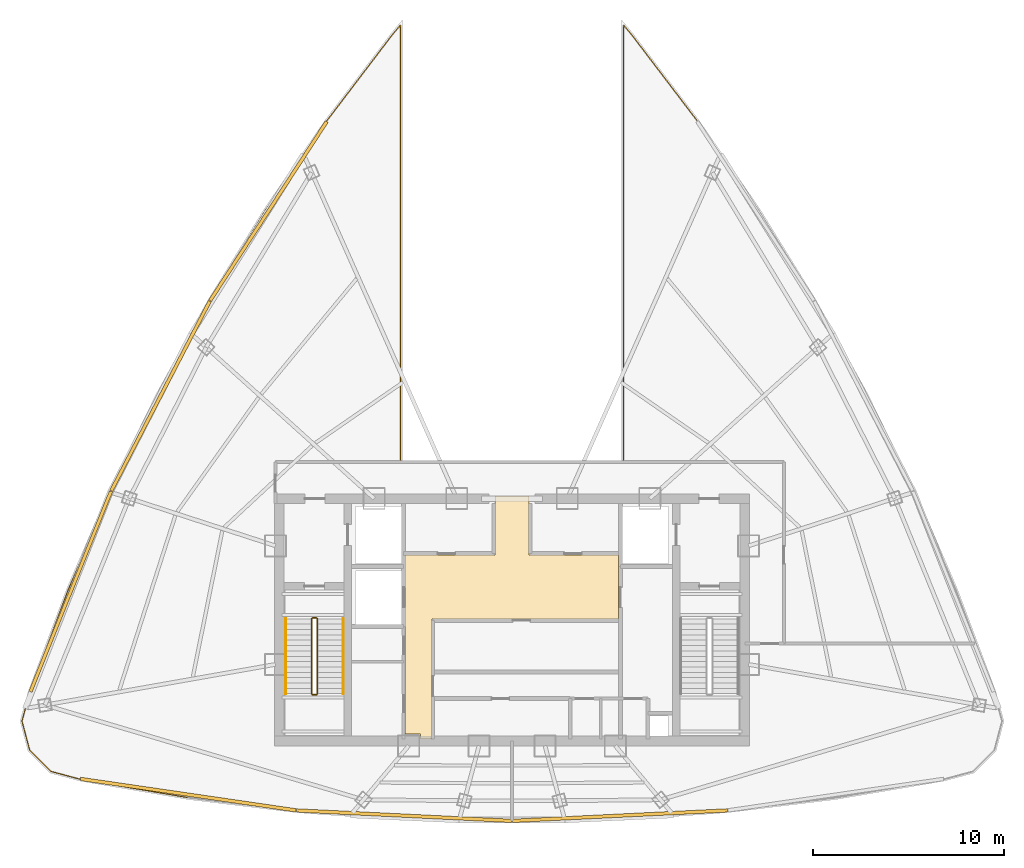
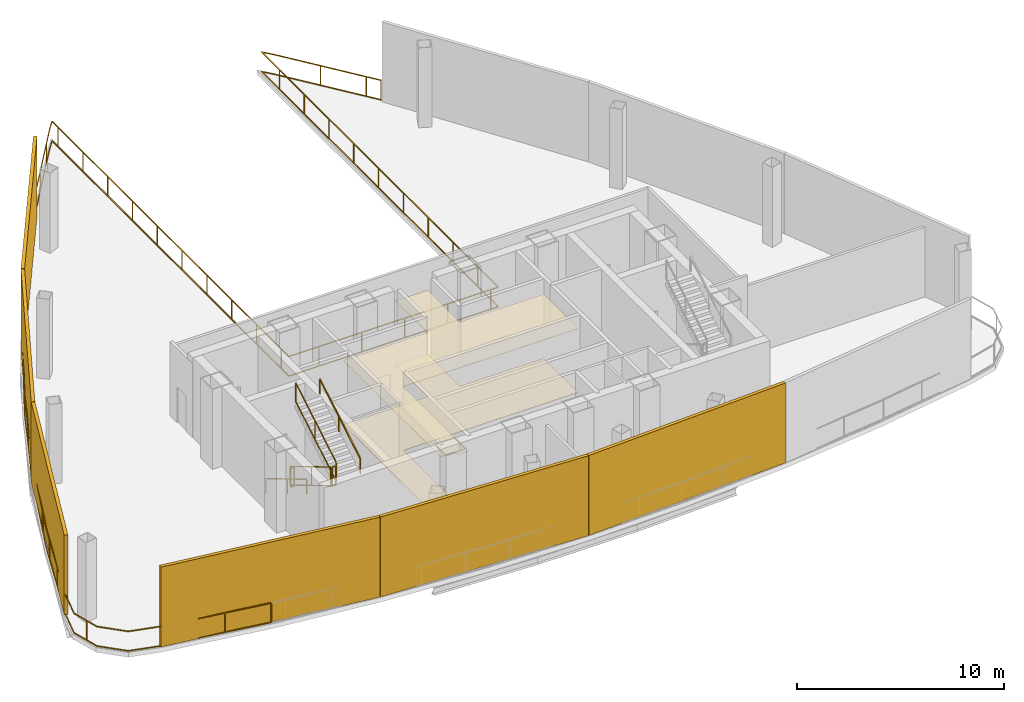
# One storey, part 4 of 6: 7 railings, 6 shading devices, 2 coverings.
"""IFC4 building model written with IfcOpenShell, lengths in metres."""

from ifc_helpers import new_model, si_unit, direction, frame, origin, origin_2d, place, context, subcontext, project, spatial, polyline, rectangle, outline, extrude, source, transform, mapped, material, layer, layer_set, type_object, element, save


model = new_model("IFC4")

# Units and contexts
model_context = context("Model", 3, precision=1e-05, world=origin(), true_north=direction((0.0, 1.0)))
body_context = subcontext(model_context, "Body", "Model", "MODEL_VIEW")
ifc_project = project(units=[si_unit("LENGTHUNIT", "METRE"), si_unit("AREAUNIT", "SQUARE_METRE"), si_unit("VOLUMEUNIT", "CUBIC_METRE"), si_unit("PLANEANGLEUNIT", "RADIAN"), si_unit("MASSUNIT", "GRAM", prefix="KILO"), si_unit("THERMODYNAMICTEMPERATUREUNIT", "KELVIN"), si_unit("POWERUNIT", "WATT")], contexts=[model_context])

# Site, building, storey
site_placement = place(None, origin())
site = spatial("IfcSite", under=ifc_project, at=site_placement, CompositionType="ELEMENT")
building_placement = place(site_placement, origin())
building = spatial("IfcBuilding", under=site, at=building_placement, Name="Yunzhuo Pagoda Commons", CompositionType="ELEMENT")
storey_placement = place(building_placement, frame((0.0, 0.0, 376.760009765625)))
storey = spatial("IfcBuildingStorey", under=building, at=storey_placement, Name="L94", CompositionType="ELEMENT", Elevation=376.760009765625)

# Coverings
ifc_material_1 = material(Name="Micro-perforated metal baffle ceiling")
ifc_layer_1 = layer(ifc_material_1, 0.034912109375)
ifc_layer_set_1 = layer_set([ifc_layer_1], Name="Micro-perforated metal baffle ceiling")
covering_type_1 = type_object("IfcCoveringType", Name="COV-CL3 Ceiling 35", PredefinedType="CEILING", material=ifc_layer_set_1)
covering_1_placement = place(storey_placement, frame((0.0, 0.0, 3.77001953125)))
element("IfcCovering", 1, at=covering_1_placement, inside=storey, type_object=covering_type_1, Name="L94 lift lobby acoustic ceiling", PredefinedType="CEILING", context=body_context, shape_type="SweptSolid", body=[
    extrude(outline(polyline([(43.207763671875, 27.85009765625), (43.201904296875, 27.864013671875), (43.187744140625, 27.8701171875), (42.39990234375, 27.8701171875), (42.39990234375, 33.89990234375), (42.39990234375, 37.25), (47.10009765625, 37.25), (47.10009765625, 40.35009765625), (48.89990234375, 40.35009765625), (48.89990234375, 37.25), (53.580078125, 37.25), (53.580078125, 33.89990234375), (43.820068359375, 33.89990234375), (43.820068359375, 27.60009765625), (43.207763671875, 27.60009765625), (43.207763671875, 27.85009765625)])), origin(), (0.0, 0.0, 1.0), 0.034912109375),
])
ifc_material_2 = material(Name="Resilient acoustic studio flooring")
ifc_layer_2 = layer(ifc_material_2, 0.01806640625)
ifc_layer_set_2 = layer_set([ifc_layer_2], Name="Resilient acoustic studio flooring")
covering_type_2 = type_object("IfcCoveringType", Name="COV-FL3 Flooring 18", PredefinedType="FLOORING", material=ifc_layer_set_2)
covering_2_placement = place(storey_placement, origin())
element("IfcCovering", 2, at=covering_2_placement, inside=storey, type_object=covering_type_2, Name="L94 lift lobby flooring", PredefinedType="FLOORING", context=body_context, shape_type="SweptSolid", body=[
    extrude(outline(polyline([(43.207763671875, 27.85009765625), (43.201904296875, 27.864013671875), (43.187744140625, 27.8701171875), (42.39990234375, 27.8701171875), (42.39990234375, 33.89990234375), (42.39990234375, 37.25), (47.10009765625, 37.25), (47.10009765625, 40.35009765625), (48.89990234375, 40.35009765625), (48.89990234375, 37.25), (53.580078125, 37.25), (53.580078125, 33.89990234375), (43.820068359375, 33.89990234375), (43.820068359375, 27.60009765625), (43.207763671875, 27.60009765625), (43.207763671875, 27.85009765625)])), origin(), (0.0, 0.0, 1.0), 0.01806640625),
])

# Railings
ifc_material_3 = material(Name="Anodized aluminium 6063-T6", Category="aluminium")
railing_type_1 = type_object("IfcRailingType", Name="GR-ST1 Stair Well Guardrail 1150", PredefinedType="GUARDRAIL", material=ifc_material_3)
railing_1_placement = place(storey_placement, frame((37.5, 33.89990234375, 0.166748046875)))
element("IfcRailing", 3, at=railing_1_placement, inside=storey, type_object=railing_type_1, Name="L94 ST1 stair guard 1", PredefinedType="GUARDRAIL", context=body_context, shape_type="SweptSolid", body=[
    extrude(rectangle(XDim=0.048095703125, YDim=0.048095703125, at=origin_2d()), frame((0.0, 0.0, 1.1259765625), z_axis=(0.0, -0.859296244711, 0.511478214419), x_axis=(1.0, 0.0, 0.0)), (0.0, 0.0, 1.0), 4.561767578125),
    extrude(rectangle(XDim=0.048095703125, YDim=0.048095703125, at=origin_2d()), frame((0.0, 0.0, 0.02392578125), z_axis=(0.0, -0.859296244711, 0.511478214419), x_axis=(1.0, 0.0, 0.0)), (0.0, 0.0, 1.0), 4.561767578125),
    extrude(rectangle(XDim=0.0419921875, YDim=0.0419921875, at=origin_2d()), origin(), (0.0, 0.0, 1.0), 1.101806640625),
    extrude(rectangle(XDim=0.0419921875, YDim=0.0419921875, at=origin_2d()), frame((0.0, -2.062255859375, 1.2275390625)), (0.0, 0.0, 1.0), 1.101806640625),
    extrude(rectangle(XDim=0.0419921875, YDim=0.0419921875, at=origin_2d()), frame((0.0, -3.919921875, 2.333251953125)), (0.0, 0.0, 1.0), 1.101806640625),
])
railing_2_placement = place(storey_placement, frame((37.550048828125, 29.929931640625, 2.5)))
element("IfcRailing", 4, at=railing_2_placement, inside=storey, type_object=railing_type_1, Name="L94 ST1 stair guard 2", PredefinedType="GUARDRAIL", context=body_context, shape_type="SweptSolid", body=[
    extrude(rectangle(XDim=0.048095703125, YDim=0.048095703125, at=origin_2d()), frame((0.0, 0.0, 1.1259765625), z_axis=(1.0, 0.0, 0.0), x_axis=(0.0, 1.0, 0.0)), (0.0, 0.0, 1.0), 0.199951171875),
    extrude(rectangle(XDim=0.048095703125, YDim=0.048095703125, at=origin_2d()), frame((0.0, 0.0, 0.02392578125), z_axis=(1.0, 0.0, 0.0), x_axis=(0.0, 1.0, 0.0)), (0.0, 0.0, 1.0), 0.199951171875),
    extrude(rectangle(XDim=0.0419921875, YDim=0.0419921875, at=origin_2d()), origin(), (0.0, 0.0, 1.0), 1.101806640625),
    extrude(rectangle(XDim=0.0419921875, YDim=0.0419921875, at=origin_2d()), frame((0.199951171875, 0.0, 0.0)), (0.0, 0.0, 1.0), 1.101806640625),
])
railing_3_placement = place(storey_placement, frame((37.800048828125, 29.97998046875, 2.666748046875)))
element("IfcRailing", 5, at=railing_3_placement, inside=storey, type_object=railing_type_1, Name="L94 ST1 stair guard 3", PredefinedType="GUARDRAIL", context=body_context, shape_type="SweptSolid", body=[
    extrude(rectangle(XDim=0.048095703125, YDim=0.048095703125, at=origin_2d()), frame((0.0, 0.0, 1.1259765625), z_axis=(0.0, 0.859296244711, 0.511478214419), x_axis=(-1.0, 0.0, 0.0)), (0.0, 0.0, 1.0), 4.561767578125),
    extrude(rectangle(XDim=0.048095703125, YDim=0.048095703125, at=origin_2d()), frame((0.0, 0.0, 0.02392578125), z_axis=(0.0, 0.859296244711, 0.511478214419), x_axis=(-1.0, 0.0, 0.0)), (0.0, 0.0, 1.0), 4.561767578125),
    extrude(rectangle(XDim=0.0419921875, YDim=0.0419921875, at=origin_2d()), origin(), (0.0, 0.0, 1.0), 1.101806640625),
    extrude(rectangle(XDim=0.0419921875, YDim=0.0419921875, at=origin_2d()), frame((0.0, 2.062255859375, 1.2275390625)), (0.0, 0.0, 1.0), 1.101806640625),
    extrude(rectangle(XDim=0.0419921875, YDim=0.0419921875, at=origin_2d()), frame((0.0, 3.919921875, 2.333251953125)), (0.0, 0.0, 1.0), 1.101806640625),
])
railing_4_placement = place(storey_placement, frame((37.550048828125, 33.949951171875, 0.0)))
element("IfcRailing", 6, at=railing_4_placement, inside=storey, type_object=railing_type_1, Name="L94 ST1 stair guard 4", PredefinedType="GUARDRAIL", context=body_context, shape_type="SweptSolid", body=[
    extrude(rectangle(XDim=0.048095703125, YDim=0.048095703125, at=origin_2d()), frame((0.0, 0.0, 1.1259765625), z_axis=(1.0, 0.0, 0.0), x_axis=(0.0, 1.0, 0.0)), (0.0, 0.0, 1.0), 0.199951171875),
    extrude(rectangle(XDim=0.048095703125, YDim=0.048095703125, at=origin_2d()), frame((0.0, 0.0, 0.02392578125), z_axis=(1.0, 0.0, 0.0), x_axis=(0.0, 1.0, 0.0)), (0.0, 0.0, 1.0), 0.199951171875),
    extrude(rectangle(XDim=0.0419921875, YDim=0.0419921875, at=origin_2d()), origin(), (0.0, 0.0, 1.0), 1.101806640625),
    extrude(rectangle(XDim=0.0419921875, YDim=0.0419921875, at=origin_2d()), frame((0.199951171875, 0.0, 0.0)), (0.0, 0.0, 1.0), 1.101806640625),
])
railing_type_2 = type_object("IfcRailingType", Name="HR-ST1 Stair Handrail 900", PredefinedType="HANDRAIL", material=ifc_material_3)
railing_5_placement = place(storey_placement, frame((36.14990234375, 33.89990234375, 0.166748046875)))
element("IfcRailing", 7, at=railing_5_placement, inside=storey, type_object=railing_type_2, Name="L94 ST1 stair handrail 1", PredefinedType="HANDRAIL", context=body_context, shape_type="SweptSolid", body=[
    extrude(rectangle(XDim=0.048095703125, YDim=0.048095703125, at=origin_2d()), frame((0.0, 0.0, 0.8759765625), z_axis=(0.0, -0.859296244711, 0.511478214419), x_axis=(1.0, 0.0, 0.0)), (0.0, 0.0, 1.0), 4.561767578125),
    extrude(rectangle(XDim=0.0419921875, YDim=0.0419921875, at=origin_2d()), origin(), (0.0, 0.0, 1.0), 0.851806640625),
    extrude(rectangle(XDim=0.0419921875, YDim=0.0419921875, at=origin_2d()), frame((0.0, -2.062255859375, 1.2275390625)), (0.0, 0.0, 1.0), 0.851806640625),
    extrude(rectangle(XDim=0.0419921875, YDim=0.0419921875, at=origin_2d()), frame((0.0, -3.919921875, 2.333251953125)), (0.0, 0.0, 1.0), 0.851806640625),
])
railing_6_placement = place(storey_placement, frame((39.14990234375, 29.97998046875, 2.666748046875)))
element("IfcRailing", 8, at=railing_6_placement, inside=storey, type_object=railing_type_2, Name="L94 ST1 stair handrail 2", PredefinedType="HANDRAIL", context=body_context, shape_type="SweptSolid", body=[
    extrude(rectangle(XDim=0.048095703125, YDim=0.048095703125, at=origin_2d()), frame((0.0, 0.0, 0.8759765625), z_axis=(0.0, 0.859296244711, 0.511478214419), x_axis=(-1.0, 0.0, 0.0)), (0.0, 0.0, 1.0), 4.561767578125),
    extrude(rectangle(XDim=0.0419921875, YDim=0.0419921875, at=origin_2d()), origin(), (0.0, 0.0, 1.0), 0.851806640625),
    extrude(rectangle(XDim=0.0419921875, YDim=0.0419921875, at=origin_2d()), frame((0.0, 2.062255859375, 1.2275390625)), (0.0, 0.0, 1.0), 0.851806640625),
    extrude(rectangle(XDim=0.0419921875, YDim=0.0419921875, at=origin_2d()), frame((0.0, 3.919921875, 2.333251953125)), (0.0, 0.0, 1.0), 0.851806640625),
])
railing_type_3 = type_object("IfcRailingType", Name="RL-PRT1 Wind Portal & Refuge Guardrail 1200", PredefinedType="GUARDRAIL", material=ifc_material_3)
railing_7_placement = place(storey_placement, frame((31.02978515625, 24.53271484375, 0.0)))
element("IfcRailing", 9, at=railing_7_placement, inside=storey, type_object=railing_type_3, Name="L94 wind portal wing 1 guardrail B", PredefinedType="GUARDRAIL", context=body_context, shape_type="SweptSolid", body=[
    extrude(rectangle(XDim=0.048095703125, YDim=0.048095703125, at=origin_2d()), frame((0.0, 0.0, 1.17578125), z_axis=(-0.985802138358, 0.167911119374, 0.0), x_axis=(-0.167911119374, -0.985802138358, 0.0)), (0.0, 0.0, 1.0), 5.736083984375),
    extrude(rectangle(XDim=0.048095703125, YDim=0.048095703125, at=origin_2d()), frame((0.0, 0.0, 0.02392578125), z_axis=(-0.985802138358, 0.167911119374, 0.0), x_axis=(-0.167911119374, -0.985802138358, 0.0)), (0.0, 0.0, 1.0), 5.736083984375),
    extrude(rectangle(XDim=0.048095703125, YDim=0.048095703125, at=origin_2d()), frame((-5.654541015625, 0.963134765625, 1.17578125), z_axis=(-0.965767970821, 0.259407452737, 0.0), x_axis=(-0.259407452737, -0.965767970821, 0.0)), (0.0, 0.0, 1.0), 1.59326171875),
    extrude(rectangle(XDim=0.048095703125, YDim=0.048095703125, at=origin_2d()), frame((-5.654541015625, 0.963134765625, 0.02392578125), z_axis=(-0.965767970821, 0.259407452737, 0.0), x_axis=(-0.259407452737, -0.965767970821, 0.0)), (0.0, 0.0, 1.0), 1.59326171875),
    extrude(rectangle(XDim=0.048095703125, YDim=0.048095703125, at=origin_2d()), frame((-7.193359375, 1.37646484375, 1.17578125), z_axis=(-0.705784726327, 0.708426368851, 0.0), x_axis=(-0.708426368851, -0.705784726327, 0.0)), (0.0, 0.0, 1.0), 1.571044921875),
    extrude(rectangle(XDim=0.048095703125, YDim=0.048095703125, at=origin_2d()), frame((-7.193359375, 1.37646484375, 0.02392578125), z_axis=(-0.705784726327, 0.708426368851, 0.0), x_axis=(-0.708426368851, -0.705784726327, 0.0)), (0.0, 0.0, 1.0), 1.571044921875),
    extrude(rectangle(XDim=0.048095703125, YDim=0.048095703125, at=origin_2d()), frame((-8.30224609375, 2.489501953125, 1.17578125), z_axis=(-0.256114674662, 0.966646405581, 0.0), x_axis=(-0.966646405581, -0.256114674662, 0.0)), (0.0, 0.0, 1.0), 1.571044921875),
    extrude(rectangle(XDim=0.048095703125, YDim=0.048095703125, at=origin_2d()), frame((-8.30224609375, 2.489501953125, 0.02392578125), z_axis=(-0.256114674662, 0.966646405581, 0.0), x_axis=(-0.966646405581, -0.256114674662, 0.0)), (0.0, 0.0, 1.0), 1.571044921875),
    extrude(rectangle(XDim=0.048095703125, YDim=0.048095703125, at=origin_2d()), frame((-8.70458984375, 4.008056640625, 1.17578125), z_axis=(0.262922930823, 0.964816838808, 0.0), x_axis=(-0.964816838808, 0.262922930823, 0.0)), (0.0, 0.0, 1.0), 1.593505859375),
    extrude(rectangle(XDim=0.048095703125, YDim=0.048095703125, at=origin_2d()), frame((-8.70458984375, 4.008056640625, 0.02392578125), z_axis=(0.262922930823, 0.964816838808, 0.0), x_axis=(-0.964816838808, 0.262922930823, 0.0)), (0.0, 0.0, 1.0), 1.593505859375),
    extrude(rectangle(XDim=0.048095703125, YDim=0.048095703125, at=origin_2d()), frame((-8.28564453125, 5.54541015625, 1.17578125), z_axis=(0.350704936473, 0.936486010325, 0.0), x_axis=(-0.936486010325, 0.350704936473, 0.0)), (0.0, 0.0, 1.0), 5.690185546875),
    extrude(rectangle(XDim=0.048095703125, YDim=0.048095703125, at=origin_2d()), frame((-8.28564453125, 5.54541015625, 0.02392578125), z_axis=(0.350704936473, 0.936486010325, 0.0), x_axis=(-0.936486010325, 0.350704936473, 0.0)), (0.0, 0.0, 1.0), 5.690185546875),
    extrude(rectangle(XDim=0.048095703125, YDim=0.048095703125, at=origin_2d()), frame((-6.2900390625, 10.874267578125, 1.17578125), z_axis=(0.395237697454, 0.91857888203, 0.0), x_axis=(-0.91857888203, 0.395237697454, 0.0)), (0.0, 0.0, 1.0), 5.652587890625),
    extrude(rectangle(XDim=0.048095703125, YDim=0.048095703125, at=origin_2d()), frame((-6.2900390625, 10.874267578125, 0.02392578125), z_axis=(0.395237697454, 0.91857888203, 0.0), x_axis=(-0.91857888203, 0.395237697454, 0.0)), (0.0, 0.0, 1.0), 5.652587890625),
    extrude(rectangle(XDim=0.048095703125, YDim=0.048095703125, at=origin_2d()), frame((-4.055908203125, 16.066650390625, 1.17578125), z_axis=(0.439384485978, 0.898299100234, 0.0), x_axis=(-0.898299100234, 0.439384485978, 0.0)), (0.0, 0.0, 1.0), 5.625244140625),
    extrude(rectangle(XDim=0.048095703125, YDim=0.048095703125, at=origin_2d()), frame((-4.055908203125, 16.066650390625, 0.02392578125), z_axis=(0.439384485978, 0.898299100234, 0.0), x_axis=(-0.898299100234, 0.439384485978, 0.0)), (0.0, 0.0, 1.0), 5.625244140625),
    extrude(rectangle(XDim=0.048095703125, YDim=0.048095703125, at=origin_2d()), frame((-1.584228515625, 21.119873046875, 1.17578125), z_axis=(0.482785214166, 0.875738794951, 0.0), x_axis=(-0.875738794951, 0.482785214166, 0.0)), (0.0, 0.0, 1.0), 5.612060546875),
    extrude(rectangle(XDim=0.048095703125, YDim=0.048095703125, at=origin_2d()), frame((-1.584228515625, 21.119873046875, 0.02392578125), z_axis=(0.482785214166, 0.875738794951, 0.0), x_axis=(-0.875738794951, 0.482785214166, 0.0)), (0.0, 0.0, 1.0), 5.612060546875),
    extrude(rectangle(XDim=0.048095703125, YDim=0.048095703125, at=origin_2d()), frame((1.125244140625, 26.03466796875, 1.17578125), z_axis=(0.52515291418, 0.851007882883, 0.0), x_axis=(-0.851007882883, 0.52515291418, 0.0)), (0.0, 0.0, 1.0), 5.61181640625),
    extrude(rectangle(XDim=0.048095703125, YDim=0.048095703125, at=origin_2d()), frame((1.125244140625, 26.03466796875, 0.02392578125), z_axis=(0.52515291418, 0.851007882883, 0.0), x_axis=(-0.851007882883, 0.52515291418, 0.0)), (0.0, 0.0, 1.0), 5.61181640625),
    extrude(rectangle(XDim=0.048095703125, YDim=0.048095703125, at=origin_2d()), frame((4.072265625, 30.810302734375, 1.17578125), z_axis=(0.566184343599, 0.824278647706, 0.0), x_axis=(-0.824278647706, 0.566184343599, 0.0)), (0.0, 0.0, 1.0), 5.62548828125),
    extrude(rectangle(XDim=0.048095703125, YDim=0.048095703125, at=origin_2d()), frame((4.072265625, 30.810302734375, 0.02392578125), z_axis=(0.566184343599, 0.824278647706, 0.0), x_axis=(-0.824278647706, 0.566184343599, 0.0)), (0.0, 0.0, 1.0), 5.62548828125),
    extrude(rectangle(XDim=0.048095703125, YDim=0.048095703125, at=origin_2d()), frame((7.25732421875, 35.447265625, 1.17578125), z_axis=(0.605500424009, 0.795844982723, 0.0), x_axis=(-0.795844982723, 0.605500424009, 0.0)), (0.0, 0.0, 1.0), 5.652587890625),
    extrude(rectangle(XDim=0.048095703125, YDim=0.048095703125, at=origin_2d()), frame((7.25732421875, 35.447265625, 0.02392578125), z_axis=(0.605500424009, 0.795844982723, 0.0), x_axis=(-0.795844982723, 0.605500424009, 0.0)), (0.0, 0.0, 1.0), 5.652587890625),
    extrude(rectangle(XDim=0.048095703125, YDim=0.048095703125, at=origin_2d()), frame((10.679931640625, 39.94580078125, 1.17578125), z_axis=(0.643091702275, 0.765789176253, 0.0), x_axis=(-0.765789176253, 0.643091702275, 0.0)), (0.0, 0.0, 1.0), 0.6845703125),
    extrude(rectangle(XDim=0.048095703125, YDim=0.048095703125, at=origin_2d()), frame((10.679931640625, 39.94580078125, 0.02392578125), z_axis=(0.643091702275, 0.765789176253, 0.0), x_axis=(-0.765789176253, 0.643091702275, 0.0)), (0.0, 0.0, 1.0), 0.6845703125),
    extrude(rectangle(XDim=0.048095703125, YDim=0.048095703125, at=origin_2d()), frame((11.1201171875, 40.469970703125, 1.17578125), z_axis=(0.0, -1.0, 0.0), x_axis=(1.0, 0.0, 0.0)), (0.0, 0.0, 1.0), 22.902587890625),
    extrude(rectangle(XDim=0.048095703125, YDim=0.048095703125, at=origin_2d()), frame((11.1201171875, 40.469970703125, 0.02392578125), z_axis=(0.0, -1.0, 0.0), x_axis=(1.0, 0.0, 0.0)), (0.0, 0.0, 1.0), 22.902587890625),
    extrude(rectangle(XDim=0.048095703125, YDim=0.048095703125, at=origin_2d()), frame((11.1201171875, 17.5673828125, 1.17578125), z_axis=(1.0, 0.0, 0.0), x_axis=(0.0, 1.0, 0.0)), (0.0, 0.0, 1.0), 11.7001953125),
    extrude(rectangle(XDim=0.048095703125, YDim=0.048095703125, at=origin_2d()), frame((11.1201171875, 17.5673828125, 0.02392578125), z_axis=(1.0, 0.0, 0.0), x_axis=(0.0, 1.0, 0.0)), (0.0, 0.0, 1.0), 11.7001953125),
    extrude(rectangle(XDim=0.048095703125, YDim=0.048095703125, at=origin_2d()), frame((22.8203125, 17.5673828125, 1.17578125), z_axis=(0.0, 1.0, 0.0), x_axis=(-1.0, 0.0, 0.0)), (0.0, 0.0, 1.0), 22.902587890625),
    extrude(rectangle(XDim=0.048095703125, YDim=0.048095703125, at=origin_2d()), frame((22.8203125, 17.5673828125, 0.02392578125), z_axis=(0.0, 1.0, 0.0), x_axis=(-1.0, 0.0, 0.0)), (0.0, 0.0, 1.0), 22.902587890625),
    extrude(rectangle(XDim=0.048095703125, YDim=0.048095703125, at=origin_2d()), frame((22.8203125, 40.469970703125, 1.17578125), z_axis=(0.643091702275, -0.765789176253, 0.0), x_axis=(0.765789176253, 0.643091702275, 0.0)), (0.0, 0.0, 1.0), 0.6845703125),
    extrude(rectangle(XDim=0.048095703125, YDim=0.048095703125, at=origin_2d()), frame((22.8203125, 40.469970703125, 0.02392578125), z_axis=(0.643091702275, -0.765789176253, 0.0), x_axis=(0.765789176253, 0.643091702275, 0.0)), (0.0, 0.0, 1.0), 0.6845703125),
    extrude(rectangle(XDim=0.048095703125, YDim=0.048095703125, at=origin_2d()), frame((23.260498046875, 39.94580078125, 1.17578125), z_axis=(0.605516403588, -0.795832824773, 0.0), x_axis=(0.795832824773, 0.605516403588, 0.0)), (0.0, 0.0, 1.0), 5.572509765625),
    extrude(rectangle(XDim=0.048095703125, YDim=0.048095703125, at=origin_2d()), frame((23.260498046875, 39.94580078125, 0.02392578125), z_axis=(0.605516403588, -0.795832824773, 0.0), x_axis=(0.795832824773, 0.605516403588, 0.0)), (0.0, 0.0, 1.0), 5.572509765625),
    extrude(rectangle(XDim=0.0419921875, YDim=0.0419921875, at=origin_2d()), origin(), (0.0, 0.0, 1.0), 1.15185546875),
    extrude(rectangle(XDim=0.0419921875, YDim=0.0419921875, at=origin_2d()), frame((-2.365966796875, 0.403076171875, 0.0)), (0.0, 0.0, 1.0), 1.15185546875),
    extrude(rectangle(XDim=0.0419921875, YDim=0.0419921875, at=origin_2d()), frame((-4.73193359375, 0.805908203125, 0.0)), (0.0, 0.0, 1.0), 1.15185546875),
    extrude(rectangle(XDim=0.0419921875, YDim=0.0419921875, at=origin_2d()), frame((-8.4814453125, 3.165771484375, 0.0)), (0.0, 0.0, 1.0), 1.15185546875),
    extrude(rectangle(XDim=0.0419921875, YDim=0.0419921875, at=origin_2d()), frame((-7.466796875, 7.732177734375, 0.0)), (0.0, 0.0, 1.0), 1.15185546875),
    extrude(rectangle(XDim=0.0419921875, YDim=0.0419921875, at=origin_2d()), frame((-6.625, 9.979736328125, 0.0)), (0.0, 0.0, 1.0), 1.15185546875),
    extrude(rectangle(XDim=0.0419921875, YDim=0.0419921875, at=origin_2d()), frame((-5.718994140625, 12.201416015625, 0.0)), (0.0, 0.0, 1.0), 1.15185546875),
    extrude(rectangle(XDim=0.0419921875, YDim=0.0419921875, at=origin_2d()), frame((-4.7705078125, 14.406005859375, 0.0)), (0.0, 0.0, 1.0), 1.15185546875),
    extrude(rectangle(XDim=0.0419921875, YDim=0.0419921875, at=origin_2d()), frame((-3.795654296875, 16.5986328125, 0.0)), (0.0, 0.0, 1.0), 1.15185546875),
    extrude(rectangle(XDim=0.0419921875, YDim=0.0419921875, at=origin_2d()), frame((-2.7412109375, 18.754638671875, 0.0)), (0.0, 0.0, 1.0), 1.15185546875),
    extrude(rectangle(XDim=0.0419921875, YDim=0.0419921875, at=origin_2d()), frame((-1.6865234375, 20.910400390625, 0.0)), (0.0, 0.0, 1.0), 1.15185546875),
    extrude(rectangle(XDim=0.0419921875, YDim=0.0419921875, at=origin_2d()), frame((-0.5380859375, 23.017578125, 0.0)), (0.0, 0.0, 1.0), 1.15185546875),
    extrude(rectangle(XDim=0.0419921875, YDim=0.0419921875, at=origin_2d()), frame((0.62060546875, 25.119384765625, 0.0)), (0.0, 0.0, 1.0), 1.15185546875),
    extrude(rectangle(XDim=0.0419921875, YDim=0.0419921875, at=origin_2d()), frame((1.836669921875, 27.1875, 0.0)), (0.0, 0.0, 1.0), 1.15185546875),
    extrude(rectangle(XDim=0.0419921875, YDim=0.0419921875, at=origin_2d()), frame((3.09716796875, 29.22998046875, 0.0)), (0.0, 0.0, 1.0), 1.15185546875),
    extrude(rectangle(XDim=0.0419921875, YDim=0.0419921875, at=origin_2d()), frame((4.379638671875, 31.2578125, 0.0)), (0.0, 0.0, 1.0), 1.15185546875),
    extrude(rectangle(XDim=0.0419921875, YDim=0.0419921875, at=origin_2d()), frame((5.738525390625, 33.236083984375, 0.0)), (0.0, 0.0, 1.0), 1.15185546875),
    extrude(rectangle(XDim=0.0419921875, YDim=0.0419921875, at=origin_2d()), frame((7.097412109375, 35.21435546875, 0.0)), (0.0, 0.0, 1.0), 1.15185546875),
    extrude(rectangle(XDim=0.0419921875, YDim=0.0419921875, at=origin_2d()), frame((8.53955078125, 37.132568359375, 0.0)), (0.0, 0.0, 1.0), 1.15185546875),
    extrude(rectangle(XDim=0.0419921875, YDim=0.0419921875, at=origin_2d()), frame((9.99267578125, 39.04248046875, 0.0)), (0.0, 0.0, 1.0), 1.15185546875),
    extrude(rectangle(XDim=0.0419921875, YDim=0.0419921875, at=origin_2d()), frame((11.1201171875, 39.889404296875, 0.0)), (0.0, 0.0, 1.0), 1.15185546875),
    extrude(rectangle(XDim=0.0419921875, YDim=0.0419921875, at=origin_2d()), frame((11.1201171875, 37.489501953125, 0.0)), (0.0, 0.0, 1.0), 1.15185546875),
    extrude(rectangle(XDim=0.0419921875, YDim=0.0419921875, at=origin_2d()), frame((11.1201171875, 35.08935546875, 0.0)), (0.0, 0.0, 1.0), 1.15185546875),
    extrude(rectangle(XDim=0.0419921875, YDim=0.0419921875, at=origin_2d()), frame((11.1201171875, 32.689453125, 0.0)), (0.0, 0.0, 1.0), 1.15185546875),
    extrude(rectangle(XDim=0.0419921875, YDim=0.0419921875, at=origin_2d()), frame((11.1201171875, 30.28955078125, 0.0)), (0.0, 0.0, 1.0), 1.15185546875),
    extrude(rectangle(XDim=0.0419921875, YDim=0.0419921875, at=origin_2d()), frame((11.1201171875, 27.889404296875, 0.0)), (0.0, 0.0, 1.0), 1.15185546875),
    extrude(rectangle(XDim=0.0419921875, YDim=0.0419921875, at=origin_2d()), frame((11.1201171875, 25.489501953125, 0.0)), (0.0, 0.0, 1.0), 1.15185546875),
    extrude(rectangle(XDim=0.0419921875, YDim=0.0419921875, at=origin_2d()), frame((11.1201171875, 23.08935546875, 0.0)), (0.0, 0.0, 1.0), 1.15185546875),
    extrude(rectangle(XDim=0.0419921875, YDim=0.0419921875, at=origin_2d()), frame((11.1201171875, 20.689453125, 0.0)), (0.0, 0.0, 1.0), 1.15185546875),
    extrude(rectangle(XDim=0.0419921875, YDim=0.0419921875, at=origin_2d()), frame((11.1201171875, 18.28955078125, 0.0)), (0.0, 0.0, 1.0), 1.15185546875),
    extrude(rectangle(XDim=0.0419921875, YDim=0.0419921875, at=origin_2d()), frame((12.798095703125, 17.5673828125, 0.0)), (0.0, 0.0, 1.0), 1.15185546875),
    extrude(rectangle(XDim=0.0419921875, YDim=0.0419921875, at=origin_2d()), frame((15.197998046875, 17.5673828125, 0.0)), (0.0, 0.0, 1.0), 1.15185546875),
    extrude(rectangle(XDim=0.0419921875, YDim=0.0419921875, at=origin_2d()), frame((17.59814453125, 17.5673828125, 0.0)), (0.0, 0.0, 1.0), 1.15185546875),
    extrude(rectangle(XDim=0.0419921875, YDim=0.0419921875, at=origin_2d()), frame((19.998046875, 17.5673828125, 0.0)), (0.0, 0.0, 1.0), 1.15185546875),
    extrude(rectangle(XDim=0.0419921875, YDim=0.0419921875, at=origin_2d()), frame((22.39794921875, 17.5673828125, 0.0)), (0.0, 0.0, 1.0), 1.15185546875),
    extrude(rectangle(XDim=0.0419921875, YDim=0.0419921875, at=origin_2d()), frame((22.8203125, 19.545166015625, 0.0)), (0.0, 0.0, 1.0), 1.15185546875),
    extrude(rectangle(XDim=0.0419921875, YDim=0.0419921875, at=origin_2d()), frame((22.8203125, 21.945068359375, 0.0)), (0.0, 0.0, 1.0), 1.15185546875),
    extrude(rectangle(XDim=0.0419921875, YDim=0.0419921875, at=origin_2d()), frame((22.8203125, 24.34521484375, 0.0)), (0.0, 0.0, 1.0), 1.15185546875),
    extrude(rectangle(XDim=0.0419921875, YDim=0.0419921875, at=origin_2d()), frame((22.8203125, 26.7451171875, 0.0)), (0.0, 0.0, 1.0), 1.15185546875),
    extrude(rectangle(XDim=0.0419921875, YDim=0.0419921875, at=origin_2d()), frame((22.8203125, 29.14501953125, 0.0)), (0.0, 0.0, 1.0), 1.15185546875),
    extrude(rectangle(XDim=0.0419921875, YDim=0.0419921875, at=origin_2d()), frame((22.8203125, 31.545166015625, 0.0)), (0.0, 0.0, 1.0), 1.15185546875),
    extrude(rectangle(XDim=0.0419921875, YDim=0.0419921875, at=origin_2d()), frame((22.8203125, 33.945068359375, 0.0)), (0.0, 0.0, 1.0), 1.15185546875),
    extrude(rectangle(XDim=0.0419921875, YDim=0.0419921875, at=origin_2d()), frame((22.8203125, 36.34521484375, 0.0)), (0.0, 0.0, 1.0), 1.15185546875),
    extrude(rectangle(XDim=0.0419921875, YDim=0.0419921875, at=origin_2d()), frame((22.8203125, 38.7451171875, 0.0)), (0.0, 0.0, 1.0), 1.15185546875),
    extrude(rectangle(XDim=0.0419921875, YDim=0.0419921875, at=origin_2d()), frame((24.7080078125, 38.043212890625, 0.0)), (0.0, 0.0, 1.0), 1.15185546875),
    extrude(rectangle(XDim=0.0419921875, YDim=0.0419921875, at=origin_2d()), frame((26.161376953125, 36.13330078125, 0.0)), (0.0, 0.0, 1.0), 1.15185546875),
    extrude(rectangle(XDim=0.0419921875, YDim=0.0419921875, at=origin_2d()), frame((26.634765625, 35.510986328125, 0.0)), (0.0, 0.0, 1.0), 1.15185546875),
])

# Shading devices
ifc_layer_3 = layer(ifc_material_3, 0.179931640625)
ifc_layer_set_3 = layer_set([ifc_layer_3], Name="Anodized aluminium 6063-T6")
shading_device_type = type_object("IfcShadingDeviceType", Name="SH-SCR2 Crown Drum Acoustic Louvre Screen", PredefinedType="JALOUSIE", material=ifc_layer_set_3)
shared_shape_1 = source(origin(), body_context, "Body", "SweptSolid", [
    extrude(rectangle(XDim=11.403076171875, YDim=0.179931640625, at=origin_2d()), origin(), (0.0, 0.0, 1.0), 4.719970703125),
])
shading_device_1_placement = place(storey_placement, frame((31.03271484375, 24.690185546875, 0.0), z_axis=(0.0, 0.0, 1.0), x_axis=(0.989510666697, -0.144459823108, 0.0)))
element("IfcShadingDevice", 10, at=shading_device_1_placement, inside=storey, type_object=shading_device_type, Name="L94 wind portal wing louvre screen F1.1", PredefinedType="JALOUSIE", context=body_context, shape_type="MappedRepresentation", body=[
    mapped(shared_shape_1, transform((0.0, 0.0, 0.0), scale=1.0)),
])
shared_shape_2 = source(origin(), body_context, "Body", "SweptSolid", [
    extrude(rectangle(XDim=11.29638671875, YDim=0.179931640625, at=origin_2d()), origin(), (0.0, 0.0, 1.0), 4.719970703125),
])
for number, where, z_axis, x_axis, name in (
    (11, (42.34423828125, 23.58935546875, 0.0), (0.0, 0.0, 1.0), (0.998818043775, -0.04860571396, 0.0), "L94 wind portal wing louvre screen F1.2"),
    (12, (53.65576171875, 23.58935546875, 0.0), (0.0, 0.0, 1.0), (0.998818043775, 0.04860571396, 0.0), "L94 wind portal wing louvre screen F1.3"),
):
    element("IfcShadingDevice", number, at=place(storey_placement, frame(where, z_axis=z_axis, x_axis=x_axis)), inside=storey, type_object=shading_device_type, Name=name, PredefinedType="JALOUSIE", context=body_context, shape_type="MappedRepresentation", body=[
        mapped(shared_shape_2, transform((0.0, 0.0, 0.0), scale=1.0)),
    ])
shared_shape_3 = source(origin(), body_context, "Body", "SweptSolid", [
    extrude(rectangle(XDim=11.311279296875, YDim=0.179931640625, at=origin_2d()), origin(), (0.0, 0.0, 1.0), 4.719970703125),
])
shading_device_2_placement = place(storey_placement, frame((24.877197265625, 35.330078125, 0.0), z_axis=(0.0, 0.0, 1.0), x_axis=(-0.372987782576, -0.927836253899, 0.0)))
element("IfcShadingDevice", 13, at=shading_device_2_placement, inside=storey, type_object=shading_device_type, Name="L94 wind portal wing louvre screen F3.4", PredefinedType="JALOUSIE", context=body_context, shape_type="MappedRepresentation", body=[
    mapped(shared_shape_3, transform((0.0, 0.0, 0.0), scale=1.0)),
])
shared_shape_4 = source(origin(), body_context, "Body", "SweptSolid", [
    extrude(rectangle(XDim=11.203857421875, YDim=0.179931640625, at=origin_2d()), origin(), (0.0, 0.0, 1.0), 4.719970703125),
])
for number, where, z_axis, x_axis, name in (
    (14, (35.23779296875, 55.2626953125, 0.0), (0.0, 0.0, 1.0), (-0.545853380833, -0.837880711458, 0.0), "L94 wind portal wing louvre screen F3.2"),
    (15, (29.582275390625, 45.57421875, 0.0), (0.0, 0.0, 1.0), (-0.461206683033, -0.88729273384, 0.0), "L94 wind portal wing louvre screen F3.3"),
):
    element("IfcShadingDevice", number, at=place(storey_placement, frame(where, z_axis=z_axis, x_axis=x_axis)), inside=storey, type_object=shading_device_type, Name=name, PredefinedType="JALOUSIE", context=body_context, shape_type="MappedRepresentation", body=[
        mapped(shared_shape_4, transform((0.0, 0.0, 0.0), scale=1.0)),
    ])

save(model, "model.ifc")
